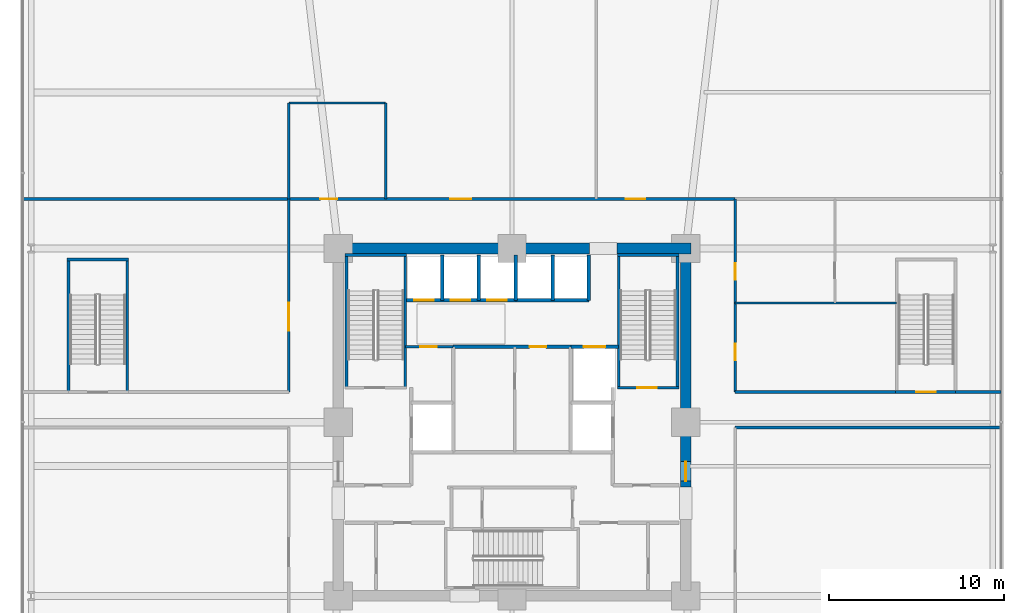
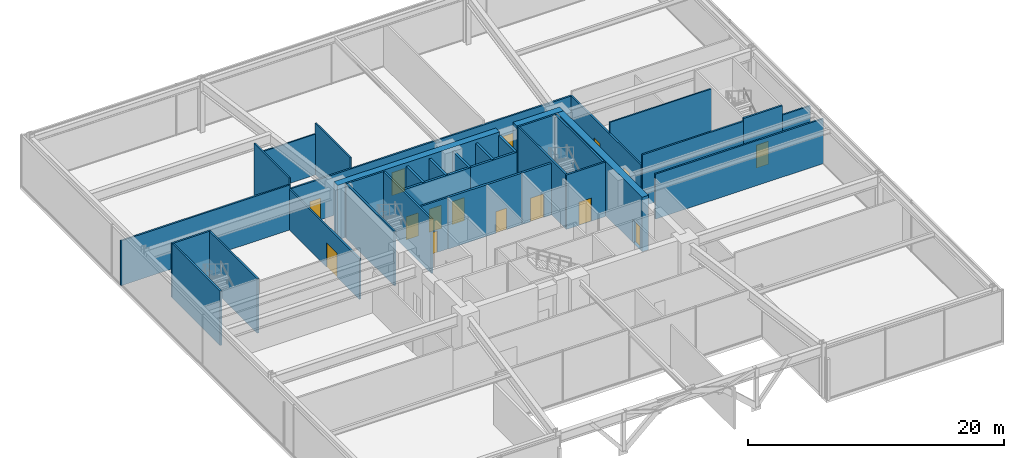
# One storey, part 44 of 49: 35 walls, 15 doors, 15 openings.
"""IFC4 building model written with IfcOpenShell, lengths in metres."""

from ifc_helpers import new_model, si_unit, direction, frame, frame_2d, origin, place, context, subcontext, project, spatial, rectangle, extrude, material, layer, layer_set, type_object, element, fill, save


model = new_model("IFC4")

# Units and contexts
model_context = context("Model", 3, precision=1e-05, world=origin(), true_north=direction((0.0, 1.0)))
body_context = subcontext(model_context, "Body", "Model", "MODEL_VIEW")
ifc_project = project(units=[si_unit("LENGTHUNIT", "METRE"), si_unit("AREAUNIT", "SQUARE_METRE"), si_unit("VOLUMEUNIT", "CUBIC_METRE"), si_unit("PLANEANGLEUNIT", "RADIAN"), si_unit("MASSUNIT", "GRAM", prefix="KILO")], contexts=[model_context])

# Site, building, storey
site_placement = place(None, origin())
site = spatial("IfcSite", under=ifc_project, at=site_placement, CompositionType="ELEMENT")
building_placement = place(site_placement, origin())
building = spatial("IfcBuilding", under=site, at=building_placement, Name="Kolvaren Belvedere", CompositionType="ELEMENT")
storey_placement = place(building_placement, frame((0.0, 0.0, 10.0)))
storey = spatial("IfcBuildingStorey", under=building, at=storey_placement, Name="L03", CompositionType="ELEMENT", Elevation=10.0)

# Walls
ifc_material_1 = material(Name="Concrete C60/75", Category="concrete")
ifc_layer_1 = layer(ifc_material_1, 0.60009765625)
ifc_layer_set_1 = layer_set([ifc_layer_1], Name="Concrete C60/75")
wall_type_1 = type_object("IfcWallType", Name="CW-CORE-600", PredefinedType="SHEAR", material=ifc_layer_set_1)
wall_1_placement = place(storey_placement, frame((-10.199951171875, 9.89990234375, 0.0), z_axis=(0.0, 0.0, 1.0), x_axis=(1.0, 0.0, 0.0)))
element("IfcWall", 1, at=wall_1_placement, inside=storey, type_object=wall_type_1, Name="L03 North Core Shear Wall 1", PredefinedType="SHEAR", context=body_context, shape_type="SweptSolid", body=[
    extrude(rectangle(XDim=14.619873046875, YDim=0.60009765625, at=frame_2d((7.31005859375, 0.0))), origin(), (0.0, 0.0, 1.0), 5.199951171875),
])
wall_2_placement = place(storey_placement, frame((5.97998046875, 9.89990234375, 0.0), z_axis=(0.0, 0.0, 1.0), x_axis=(1.0, 0.0, 0.0)))
element("IfcWall", 2, at=wall_2_placement, inside=storey, type_object=wall_type_1, Name="L03 North Core Shear Wall 2", PredefinedType="SHEAR", context=body_context, shape_type="SweptSolid", body=[
    extrude(rectangle(XDim=4.219970703125, YDim=0.60009765625, at=frame_2d((2.10986328125, 0.0))), origin(), (0.0, 0.0, 1.0), 5.199951171875),
])

# Wall, opening, door
wall_3_placement = place(storey_placement, frame((9.89990234375, -3.699951171875, 0.0), z_axis=(0.0, 0.0, 1.0), x_axis=(0.0, 1.0, 0.0)))
wall_3 = element("IfcWall", 3, at=wall_3_placement, inside=storey, type_object=wall_type_1, Name="L03 East Core Shear Wall 2", PredefinedType="SHEAR", context=body_context, shape_type="SweptSolid", body=[
    extrude(rectangle(XDim=13.300048828125, YDim=0.60009765625, at=frame_2d((6.64990234375, 0.0))), origin(), (0.0, 0.0, 1.0), 5.199951171875),
])
opening_1_placement = place(wall_3_placement, frame((0.35009765625, 0.0, 0.0)))
opening_1 = element("IfcOpeningElement", 4, at=opening_1_placement, cuts=wall_3, Name="Opening D-FD90", PredefinedType="OPENING", context=body_context, shape_type="SweptSolid", body=[
    extrude(rectangle(XDim=1.10009765625, YDim=2.199951171875, at=frame_2d((0.550048828125, 1.10009765625))), frame((0.0, 0.31005859375, 0.0), z_axis=(0.0, -1.0, 0.0), x_axis=(1.0, 0.0, 0.0)), (0.0, 0.0, 1.0), 0.6201171875),
])
ifc_material_2 = material(Name="Painted hollow stainless steel", Category="steel")
door_type_1 = type_object("IfcDoorType", Name="DR-FD90-1100", OperationType="NOTDEFINED", PredefinedType="DOOR", material=ifc_material_2)
door_1_placement = place(opening_1_placement, origin())
door_1 = element("IfcDoor", 5, at=door_1_placement, inside=storey, type_object=door_type_1, Name="L03 East Firefighting Lobby Fire Door", OperationType="SINGLE_SWING_RIGHT", OverallHeight=2.199951171875, OverallWidth=1.10009765625, PredefinedType="DOOR", context=body_context, shape_type="SweptSolid", body=[
    extrude(rectangle(XDim=1.10009765625, YDim=2.199951171875, at=frame_2d((0.550048828125, 1.10009765625))), frame((0.0, 0.02490234375, 0.0), z_axis=(0.0, -1.0, 0.0), x_axis=(1.0, 0.0, 0.0)), (0.0, 0.0, 1.0), 0.050048828125),
])
fill(opening_1, door_1)

# Walls
ifc_material_3 = material(Name="Concrete C50/60", Category="concrete")
ifc_layer_2 = layer(ifc_material_3, 0.159912109375)
ifc_layer_set_2 = layer_set([ifc_layer_2], Name="Concrete C50/60")
wall_type_2 = type_object("IfcWallType", Name="CW-STAIR-160", PredefinedType="SHEAR", material=ifc_layer_set_2)
wall_4_placement = place(storey_placement, frame((-9.52001953125, 9.530029296875, 0.0), z_axis=(0.0, 0.0, 1.0), x_axis=(1.0, 0.0, 0.0)))
element("IfcWall", 6, at=wall_4_placement, inside=storey, type_object=wall_type_2, Name="L03 Stair ST-1 North Shear Wall", PredefinedType="SHEAR", context=body_context, shape_type="SweptSolid", body=[
    extrude(rectangle(XDim=3.52001953125, YDim=0.159912109375, at=frame_2d((1.760009765625, 0.0))), origin(), (0.0, 0.0, 1.0), 5.199951171875),
])
for number, where, z_axis, x_axis, name in (
    (7, (-9.429931640625, 1.969970703125, 0.0), (0.0, 0.0, 1.0), (0.0, 1.0, 0.0), "L03 Stair ST-1 West Shear Wall"),
    (8, (-6.080078125, 1.969970703125, 0.0), (0.0, 0.0, 1.0), (0.0, 1.0, 0.0), "L03 Stair ST-1 East Shear Wall"),
):
    element("IfcWall", number, at=place(storey_placement, frame(where, z_axis=z_axis, x_axis=x_axis)), inside=storey, type_object=wall_type_2, Name=name, PredefinedType="SHEAR", context=body_context, shape_type="SweptSolid", body=[
        extrude(rectangle(XDim=7.56005859375, YDim=0.159912109375, at=frame_2d((3.780029296875, 0.0))), origin(), (0.0, 0.0, 1.0), 5.199951171875),
    ])

# Wall, opening, door
wall_5_placement = place(storey_placement, frame((6.0, 1.969970703125, 0.0), z_axis=(0.0, 0.0, 1.0), x_axis=(1.0, 0.0, 0.0)))
wall_5 = element("IfcWall", 9, at=wall_5_placement, inside=storey, type_object=wall_type_2, Name="L03 Stair ST-2 South Shear Wall", PredefinedType="SHEAR", context=body_context, shape_type="SweptSolid", body=[
    extrude(rectangle(XDim=3.52001953125, YDim=0.159912109375, at=frame_2d((1.760009765625, 0.0))), origin(), (0.0, 0.0, 1.0), 5.199951171875),
])
opening_2_placement = place(wall_5_placement, frame((1.14990234375, 0.0, 0.0)))
opening_2 = element("IfcOpeningElement", 10, at=opening_2_placement, cuts=wall_5, Name="Opening D-FD90", PredefinedType="OPENING", context=body_context, shape_type="SweptSolid", body=[
    extrude(rectangle(XDim=1.10009765625, YDim=2.199951171875, at=frame_2d((0.550048828125, 1.10009765625))), frame((0.0, 0.08984375, 0.0), z_axis=(0.0, -1.0, 0.0), x_axis=(1.0, 0.0, 0.0)), (0.0, 0.0, 1.0), 0.179931640625),
])
door_2_placement = place(opening_2_placement, origin())
door_2 = element("IfcDoor", 11, at=door_2_placement, inside=storey, type_object=door_type_1, Name="L03 Stair ST-2 Fire Door", OperationType="SINGLE_SWING_RIGHT", OverallHeight=2.199951171875, OverallWidth=1.10009765625, PredefinedType="DOOR", context=body_context, shape_type="SweptSolid", body=[
    extrude(rectangle(XDim=1.10009765625, YDim=2.199951171875, at=frame_2d((0.550048828125, 1.10009765625))), frame((0.0, 0.02490234375, 0.0), z_axis=(0.0, -1.0, 0.0), x_axis=(1.0, 0.0, 0.0)), (0.0, 0.0, 1.0), 0.050048828125),
])
fill(opening_2, door_2)

# Walls
wall_6_placement = place(storey_placement, frame((6.0, 9.530029296875, 0.0), z_axis=(0.0, 0.0, 1.0), x_axis=(1.0, 0.0, 0.0)))
element("IfcWall", 12, at=wall_6_placement, inside=storey, type_object=wall_type_2, Name="L03 Stair ST-2 North Shear Wall", PredefinedType="SHEAR", context=body_context, shape_type="SweptSolid", body=[
    extrude(rectangle(XDim=3.52001953125, YDim=0.159912109375, at=frame_2d((1.760009765625, 0.0))), origin(), (0.0, 0.0, 1.0), 5.199951171875),
])
for number, where, z_axis, x_axis, name in (
    (13, (6.080078125, 1.969970703125, 0.0), (0.0, 0.0, 1.0), (0.0, 1.0, 0.0), "L03 Stair ST-2 West Shear Wall"),
    (14, (9.429931640625, 1.969970703125, 0.0), (0.0, 0.0, 1.0), (0.0, 1.0, 0.0), "L03 Stair ST-2 East Shear Wall"),
):
    element("IfcWall", number, at=place(storey_placement, frame(where, z_axis=z_axis, x_axis=x_axis)), inside=storey, type_object=wall_type_2, Name=name, PredefinedType="SHEAR", context=body_context, shape_type="SweptSolid", body=[
        extrude(rectangle(XDim=7.56005859375, YDim=0.159912109375, at=frame_2d((3.780029296875, 0.0))), origin(), (0.0, 0.0, 1.0), 5.199951171875),
    ])
wall_7_placement = place(storey_placement, frame((-25.360107421875, 9.280029296875, 0.0), z_axis=(0.0, 0.0, 1.0), x_axis=(1.0, 0.0, 0.0)))
element("IfcWall", 15, at=wall_7_placement, inside=storey, type_object=wall_type_2, Name="L03 Stair ST-P1 North Shear Wall", PredefinedType="SHEAR", context=body_context, shape_type="SweptSolid", body=[
    extrude(rectangle(XDim=3.510009765625, YDim=0.159912109375, at=frame_2d((1.7548828125, 0.0))), origin(), (0.0, 0.0, 1.0), 5.199951171875),
])
for number, where, z_axis, x_axis, name in (
    (16, (-25.280029296875, 1.719970703125, 0.0), (0.0, 0.0, 1.0), (0.0, 1.0, 0.0), "L03 Stair ST-P1 West Shear Wall"),
    (17, (-21.929931640625, 1.719970703125, 0.0), (0.0, 0.0, 1.0), (0.0, 1.0, 0.0), "L03 Stair ST-P1 East Shear Wall"),
):
    element("IfcWall", number, at=place(storey_placement, frame(where, z_axis=z_axis, x_axis=x_axis)), inside=storey, type_object=wall_type_2, Name=name, PredefinedType="SHEAR", context=body_context, shape_type="SweptSolid", body=[
        extrude(rectangle(XDim=7.56005859375, YDim=0.159912109375, at=frame_2d((3.780029296875, 0.0))), origin(), (0.0, 0.0, 1.0), 5.199951171875),
    ])

# Wall, opening, door
wall_8_placement = place(storey_placement, frame((21.85009765625, 1.719970703125, 0.0), z_axis=(0.0, 0.0, 1.0), x_axis=(1.0, 0.0, 0.0)))
wall_8 = element("IfcWall", 18, at=wall_8_placement, inside=storey, type_object=wall_type_2, Name="L03 Stair ST-P2 South Shear Wall", PredefinedType="SHEAR", context=body_context, shape_type="SweptSolid", body=[
    extrude(rectangle(XDim=3.510009765625, YDim=0.159912109375, at=frame_2d((1.7548828125, 0.0))), origin(), (0.0, 0.0, 1.0), 5.199951171875),
])
opening_3_placement = place(wall_8_placement, frame((1.199951171875, 0.0, 0.0)))
opening_3 = element("IfcOpeningElement", 19, at=opening_3_placement, cuts=wall_8, Name="Opening D-FD90", PredefinedType="OPENING", context=body_context, shape_type="SweptSolid", body=[
    extrude(rectangle(XDim=1.10009765625, YDim=2.199951171875, at=frame_2d((0.550048828125, 1.10009765625))), frame((0.0, 0.08984375, 0.0), z_axis=(0.0, -1.0, 0.0), x_axis=(1.0, 0.0, 0.0)), (0.0, 0.0, 1.0), 0.179931640625),
])
door_3_placement = place(opening_3_placement, origin())
door_3 = element("IfcDoor", 20, at=door_3_placement, inside=storey, type_object=door_type_1, Name="L03 Podium Stair ST-P2 Exit Door", OperationType="SINGLE_SWING_RIGHT", OverallHeight=2.199951171875, OverallWidth=1.10009765625, PredefinedType="DOOR", context=body_context, shape_type="SweptSolid", body=[
    extrude(rectangle(XDim=1.10009765625, YDim=2.199951171875, at=frame_2d((0.550048828125, 1.10009765625))), frame((0.0, 0.02490234375, 0.0), z_axis=(0.0, -1.0, 0.0), x_axis=(1.0, 0.0, 0.0)), (0.0, 0.0, 1.0), 0.050048828125),
])
fill(opening_3, door_3)

# Wall, openings, doors
ifc_material_4 = material(Name="Gypsum fire-rated partition assembly", Category="gypsum")
ifc_layer_3 = layer(ifc_material_4, 0.14990234375)
ifc_layer_set_3 = layer_set([ifc_layer_3], Name="Gypsum fire-rated partition assembly")
wall_type_3 = type_object("IfcWallType", Name="WL-CORR-150", PredefinedType="PARTITIONING", material=ifc_layer_set_3)
wall_9_placement = place(storey_placement, frame((-12.719970703125, 12.719970703125, 0.0), z_axis=(0.0, 0.0, 1.0), x_axis=(1.0, 0.0, 0.0)))
wall_9 = element("IfcWall", 21, at=wall_9_placement, inside=storey, type_object=wall_type_3, Name="L03 North Corridor Wall", PredefinedType="PARTITIONING", context=body_context, shape_type="SweptSolid", body=[
    extrude(rectangle(XDim=25.43994140625, YDim=0.14990234375, at=frame_2d((12.719970703125, 0.0))), origin(), (0.0, 0.0, 1.0), 3.89404296875),
])
opening_4_placement = place(wall_9_placement, frame((1.800048828125, 0.0, 0.0)))
opening_4 = element("IfcOpeningElement", 22, at=opening_4_placement, cuts=wall_9, Name="Opening D-INT95", PredefinedType="OPENING", context=body_context, shape_type="SweptSolid", body=[
    extrude(rectangle(XDim=0.949951171875, YDim=2.06005859375, at=frame_2d((0.47509765625, 1.030029296875))), frame((0.0, 0.0849609375, 0.0), z_axis=(0.0, -1.0, 0.0), x_axis=(1.0, 0.0, 0.0)), (0.0, 0.0, 1.0), 0.169921875),
])
opening_5_placement = place(wall_9_placement, frame((9.199951171875, 0.0, 0.0)))
opening_5 = element("IfcOpeningElement", 23, at=opening_5_placement, cuts=wall_9, Name="Opening D-GL12", PredefinedType="OPENING", context=body_context, shape_type="SweptSolid", body=[
    extrude(rectangle(XDim=1.199951171875, YDim=2.199951171875, at=frame_2d((0.60009765625, 1.10009765625))), frame((0.0, 0.0849609375, 0.0), z_axis=(0.0, -1.0, 0.0), x_axis=(1.0, 0.0, 0.0)), (0.0, 0.0, 1.0), 0.169921875),
])
opening_6_placement = place(wall_9_placement, frame((19.199951171875, 0.0, 0.0)))
opening_6 = element("IfcOpeningElement", 24, at=opening_6_placement, cuts=wall_9, Name="Opening D-FD90", PredefinedType="OPENING", context=body_context, shape_type="SweptSolid", body=[
    extrude(rectangle(XDim=1.10009765625, YDim=2.199951171875, at=frame_2d((0.550048828125, 1.10009765625))), frame((0.0, 0.0849609375, 0.0), z_axis=(0.0, -1.0, 0.0), x_axis=(1.0, 0.0, 0.0)), (0.0, 0.0, 1.0), 0.169921875),
])
door_4_placement = place(opening_6_placement, origin())
door_4 = element("IfcDoor", 25, at=door_4_placement, inside=storey, type_object=door_type_1, Name="L03 Ballroom Audio-Visual Control Study Door", OperationType="SINGLE_SWING_RIGHT", OverallHeight=2.199951171875, OverallWidth=1.10009765625, PredefinedType="DOOR", context=body_context, shape_type="SweptSolid", body=[
    extrude(rectangle(XDim=1.10009765625, YDim=2.199951171875, at=frame_2d((0.550048828125, 1.10009765625))), frame((0.0, 0.02490234375, 0.0), z_axis=(0.0, -1.0, 0.0), x_axis=(1.0, 0.0, 0.0)), (0.0, 0.0, 1.0), 0.050048828125),
])
fill(opening_6, door_4)
ifc_material_5 = material(Name="Anodised pale-metal aluminium & safety glass", Category="aluminium")
door_type_2 = type_object("IfcDoorType", Name="DR-GLAZ-1200", OperationType="DOUBLE_DOOR_SINGLE_SWING", PredefinedType="DOOR", material=ifc_material_5)
door_5_placement = place(opening_5_placement, origin())
door_5 = element("IfcDoor", 26, at=door_5_placement, inside=storey, type_object=door_type_2, Name="L03 North Pre-Function Gallery Door", OperationType="DOUBLE_DOOR_SINGLE_SWING", OverallHeight=2.199951171875, OverallWidth=1.199951171875, PredefinedType="DOOR", context=body_context, shape_type="SweptSolid", body=[
    extrude(rectangle(XDim=1.199951171875, YDim=2.199951171875, at=frame_2d((0.60009765625, 1.10009765625))), frame((0.0, 0.02490234375, 0.0), z_axis=(0.0, -1.0, 0.0), x_axis=(1.0, 0.0, 0.0)), (0.0, 0.0, 1.0), 0.050048828125),
])
fill(opening_5, door_5)
ifc_material_6 = material(Name="Stained Pacific white oak", Category="timber")
door_type_3 = type_object("IfcDoorType", Name="DR-INT-950", OperationType="NOTDEFINED", PredefinedType="DOOR", material=ifc_material_6)
door_6_placement = place(opening_4_placement, origin())
door_6 = element("IfcDoor", 27, at=door_6_placement, inside=storey, type_object=door_type_3, Name="L03 Accessible Banquet Washroom Door", OperationType="SINGLE_SWING_LEFT", OverallHeight=2.06005859375, OverallWidth=0.949951171875, PredefinedType="DOOR", context=body_context, shape_type="SweptSolid", body=[
    extrude(rectangle(XDim=0.949951171875, YDim=2.06005859375, at=frame_2d((0.47509765625, 1.030029296875))), frame((0.0, 0.02490234375, 0.0), z_axis=(0.0, -1.0, 0.0), x_axis=(1.0, 0.0, 0.0)), (0.0, 0.0, 1.0), 0.050048828125),
])
fill(opening_4, door_6)

# Wall, opening, door
wall_10_placement = place(storey_placement, frame((-12.719970703125, 1.719970703125, 0.0), z_axis=(0.0, 0.0, 1.0), x_axis=(0.0, 1.0, 0.0)))
wall_10 = element("IfcWall", 28, at=wall_10_placement, inside=storey, type_object=wall_type_3, Name="L03 West Corridor Wall N", PredefinedType="PARTITIONING", context=body_context, shape_type="SweptSolid", body=[
    extrude(rectangle(XDim=11.0, YDim=0.14990234375, at=frame_2d((5.5, 0.0))), origin(), (0.0, 0.0, 1.0), 3.89404296875),
])
opening_7_placement = place(wall_10_placement, frame((3.5, 0.0, 0.0)))
opening_7 = element("IfcOpeningElement", 29, at=opening_7_placement, cuts=wall_10, Name="Opening D-GL16", PredefinedType="OPENING", context=body_context, shape_type="SweptSolid", body=[
    extrude(rectangle(XDim=1.60009765625, YDim=2.300048828125, at=frame_2d((0.800048828125, 1.14990234375))), frame((0.0, 0.0849609375, 0.0), z_axis=(0.0, -1.0, 0.0), x_axis=(1.0, 0.0, 0.0)), (0.0, 0.0, 1.0), 0.169921875),
])
ifc_material_7 = material(Name="Anodised pale-metal aluminium & safety glass", Category="aluminium")
door_type_4 = type_object("IfcDoorType", Name="DR-GLAZ-1600", OperationType="DOUBLE_DOOR_SINGLE_SWING", PredefinedType="DOOR", material=ifc_material_7)
door_7_placement = place(opening_7_placement, origin())
door_7 = element("IfcDoor", 30, at=door_7_placement, inside=storey, type_object=door_type_4, Name="L03 Kolvaren Column-Free Grand Ballroom Door", OperationType="DOUBLE_DOOR_SINGLE_SWING", OverallHeight=2.300048828125, OverallWidth=1.60009765625, PredefinedType="DOOR", context=body_context, shape_type="SweptSolid", body=[
    extrude(rectangle(XDim=1.60009765625, YDim=2.300048828125, at=frame_2d((0.800048828125, 1.14990234375))), frame((0.0, 0.02490234375, 0.0), z_axis=(0.0, -1.0, 0.0), x_axis=(1.0, 0.0, 0.0)), (0.0, 0.0, 1.0), 0.050048828125),
])
fill(opening_7, door_7)

# Wall, openings, doors
wall_11_placement = place(storey_placement, frame((12.719970703125, 1.719970703125, 0.0), z_axis=(0.0, 0.0, 1.0), x_axis=(0.0, 1.0, 0.0)))
wall_11 = element("IfcWall", 31, at=wall_11_placement, inside=storey, type_object=wall_type_3, Name="L03 East Corridor Wall N", PredefinedType="PARTITIONING", context=body_context, shape_type="SweptSolid", body=[
    extrude(rectangle(XDim=11.0, YDim=0.14990234375, at=frame_2d((5.5, 0.0))), origin(), (0.0, 0.0, 1.0), 3.89404296875),
])
opening_8_placement = place(wall_11_placement, frame((1.800048828125, 0.0, 0.0)))
opening_8 = element("IfcOpeningElement", 32, at=opening_8_placement, cuts=wall_11, Name="Opening D-INT95", PredefinedType="OPENING", context=body_context, shape_type="SweptSolid", body=[
    extrude(rectangle(XDim=0.949951171875, YDim=2.06005859375, at=frame_2d((0.47509765625, 1.030029296875))), frame((0.0, 0.0849609375, 0.0), z_axis=(0.0, -1.0, 0.0), x_axis=(1.0, 0.0, 0.0)), (0.0, 0.0, 1.0), 0.169921875),
])
opening_9_placement = place(wall_11_placement, frame((6.39990234375, 0.0, 0.0)))
opening_9 = element("IfcOpeningElement", 33, at=opening_9_placement, cuts=wall_11, Name="Opening D-INT95", PredefinedType="OPENING", context=body_context, shape_type="SweptSolid", body=[
    extrude(rectangle(XDim=0.949951171875, YDim=2.06005859375, at=frame_2d((0.47509765625, 1.030029296875))), frame((0.0, 0.0849609375, 0.0), z_axis=(0.0, -1.0, 0.0), x_axis=(1.0, 0.0, 0.0)), (0.0, 0.0, 1.0), 0.169921875),
])
door_8_placement = place(opening_8_placement, origin())
door_8 = element("IfcDoor", 34, at=door_8_placement, inside=storey, type_object=door_type_3, Name="L03 Speaker & Bridal Preparation Lounge Door", OperationType="SINGLE_SWING_LEFT", OverallHeight=2.06005859375, OverallWidth=0.949951171875, PredefinedType="DOOR", context=body_context, shape_type="SweptSolid", body=[
    extrude(rectangle(XDim=0.949951171875, YDim=2.06005859375, at=frame_2d((0.47509765625, 1.030029296875))), frame((0.0, 0.02490234375, 0.0), z_axis=(0.0, -1.0, 0.0), x_axis=(1.0, 0.0, 0.0)), (0.0, 0.0, 1.0), 0.050048828125),
])
fill(opening_8, door_8)
door_9_placement = place(opening_9_placement, origin())
door_9 = element("IfcDoor", 35, at=door_9_placement, inside=storey, type_object=door_type_3, Name="L03 Public Banquet Washroom Door", OperationType="SINGLE_SWING_RIGHT", OverallHeight=2.06005859375, OverallWidth=0.949951171875, PredefinedType="DOOR", context=body_context, shape_type="SweptSolid", body=[
    extrude(rectangle(XDim=0.949951171875, YDim=2.06005859375, at=frame_2d((0.47509765625, 1.030029296875))), frame((0.0, 0.02490234375, 0.0), z_axis=(0.0, -1.0, 0.0), x_axis=(1.0, 0.0, 0.0)), (0.0, 0.0, 1.0), 0.050048828125),
])
fill(opening_9, door_9)

# Walls
wall_12_placement = place(storey_placement, frame((12.719970703125, -0.300048828125, 0.0), z_axis=(0.0, 0.0, 1.0), x_axis=(1.0, 0.0, 0.0)))
element("IfcWall", 36, at=wall_12_placement, inside=storey, type_object=wall_type_3, Name="L03 East Stair Spur South Wall", PredefinedType="PARTITIONING", context=body_context, shape_type="SweptSolid", body=[
    extrude(rectangle(XDim=15.159912109375, YDim=0.14990234375, at=frame_2d((7.580078125, 0.0))), origin(), (0.0, 0.0, 1.0), 4.2890625),
])
wall_13_placement = place(storey_placement, frame((12.719970703125, 1.719970703125, 0.0), z_axis=(0.0, 0.0, 1.0), x_axis=(1.0, 0.0, 0.0)))
element("IfcWall", 37, at=wall_13_placement, inside=storey, type_object=wall_type_3, Name="L03 East Stair Spur North Wall", PredefinedType="PARTITIONING", context=body_context, shape_type="SweptSolid", body=[
    extrude(rectangle(XDim=9.2099609375, YDim=0.14990234375, at=frame_2d((4.60498046875, 0.0))), origin(), (0.0, 0.0, 1.0), 4.919921875),
])
wall_14_placement = place(storey_placement, frame((25.280029296875, 1.719970703125, 0.0), z_axis=(0.0, 0.0, 1.0), x_axis=(1.0, 0.0, 0.0)))
element("IfcWall", 38, at=wall_14_placement, inside=storey, type_object=wall_type_3, Name="L03 East Stair Spur End Wall", PredefinedType="PARTITIONING", context=body_context, shape_type="SweptSolid", body=[
    extrude(rectangle(XDim=2.599853515625, YDim=0.14990234375, at=frame_2d((1.2998046875, 0.0))), origin(), (0.0, 0.0, 1.0), 4.2890625),
])
wall_15_placement = place(storey_placement, frame((-27.97998046875, 12.719970703125, 0.0), z_axis=(0.0, 0.0, 1.0), x_axis=(1.0, 0.0, 0.0)))
element("IfcWall", 39, at=wall_15_placement, inside=storey, type_object=wall_type_3, Name="L03 Sector Wall PW-L03-QNW", PredefinedType="PARTITIONING", context=body_context, shape_type="SweptSolid", body=[
    extrude(rectangle(XDim=15.260009765625, YDim=0.14990234375, at=frame_2d((7.6298828125, 0.0))), origin(), (0.0, 0.0, 1.0), 4.2890625),
])

# Wall, opening, door
ifc_material_8 = material(Name="Gypsum acoustic partition assembly", Category="gypsum")
ifc_layer_4 = layer(ifc_material_8, 0.14990234375)
ifc_layer_set_4 = layer_set([ifc_layer_4], Name="Gypsum acoustic partition assembly")
wall_type_4 = type_object("IfcWallType", Name="WL-PART-150", PredefinedType="PARTITIONING", material=ifc_layer_set_4)
wall_16_placement = place(storey_placement, frame((-6.080078125, 4.300048828125, 0.0), z_axis=(0.0, 0.0, 1.0), x_axis=(1.0, 0.0, 0.0)))
wall_16 = element("IfcWall", 40, at=wall_16_placement, inside=storey, type_object=wall_type_4, Name="L03 NW Service Room North Wall", PredefinedType="PARTITIONING", context=body_context, shape_type="SweptSolid", body=[
    extrude(rectangle(XDim=2.72998046875, YDim=0.14990234375, at=frame_2d((1.364990234375, 0.0))), origin(), (0.0, 0.0, 1.0), 4.919921875),
])
opening_10_placement = place(wall_16_placement, frame((0.85009765625, 0.0, 0.0)))
opening_10 = element("IfcOpeningElement", 41, at=opening_10_placement, cuts=wall_16, Name="Opening D-FD60", PredefinedType="OPENING", context=body_context, shape_type="SweptSolid", body=[
    extrude(rectangle(XDim=0.949951171875, YDim=2.06005859375, at=frame_2d((0.47509765625, 1.030029296875))), frame((0.0, 0.0849609375, 0.0), z_axis=(0.0, -1.0, 0.0), x_axis=(1.0, 0.0, 0.0)), (0.0, 0.0, 1.0), 0.169921875),
])
ifc_material_9 = material(Name="Acoustic white-oak fire door leaf", Category="timber")
door_type_5 = type_object("IfcDoorType", Name="DR-FD60-950", OperationType="NOTDEFINED", PredefinedType="DOOR", material=ifc_material_9)
door_10_placement = place(opening_10_placement, origin())
door_10 = element("IfcDoor", 42, at=door_10_placement, inside=storey, type_object=door_type_5, Name="L03 NW Core Store Door", OperationType="SINGLE_SWING_RIGHT", OverallHeight=2.06005859375, OverallWidth=0.949951171875, PredefinedType="DOOR", context=body_context, shape_type="SweptSolid", body=[
    extrude(rectangle(XDim=0.949951171875, YDim=2.06005859375, at=frame_2d((0.47509765625, 1.030029296875))), frame((0.0, 0.02490234375, 0.0), z_axis=(0.0, -1.0, 0.0), x_axis=(1.0, 0.0, 0.0)), (0.0, 0.0, 1.0), 0.050048828125),
])
fill(opening_10, door_10)

ifc_material_10 = material(Name="Concrete C50/60", Category="concrete")
ifc_layer_5 = layer(ifc_material_10, 0.199951171875)
ifc_layer_set_5 = layer_set([ifc_layer_5], Name="Concrete C50/60")
wall_type_5 = type_object("IfcWallType", Name="WL-SHAFT-200", PredefinedType="SOLIDWALL", material=ifc_layer_set_5)
wall_17_placement = place(storey_placement, frame((3.35009765625, 4.300048828125, 0.0), z_axis=(0.0, 0.0, 1.0), x_axis=(1.0, 0.0, 0.0)))
wall_17 = element("IfcWall", 43, at=wall_17_placement, inside=storey, type_object=wall_type_5, Name="L03 Service Lift SV1 Front Wall", PredefinedType="SOLIDWALL", context=body_context, shape_type="SweptSolid", body=[
    extrude(rectangle(XDim=2.72998046875, YDim=0.199951171875, at=frame_2d((1.364990234375, 0.0))), origin(), (0.0, 0.0, 1.0), 4.919921875),
])
opening_11_placement = place(wall_17_placement, frame((0.75, 0.0, 0.0)))
opening_11 = element("IfcOpeningElement", 44, at=opening_11_placement, cuts=wall_17, Name="Opening LD-12", PredefinedType="OPENING", context=body_context, shape_type="SweptSolid", body=[
    extrude(rectangle(XDim=1.199951171875, YDim=2.25, at=frame_2d((0.60009765625, 1.125))), frame((0.0, 0.10986328125, 0.0), z_axis=(0.0, -1.0, 0.0), x_axis=(1.0, 0.0, 0.0)), (0.0, 0.0, 1.0), 0.219970703125),
])
ifc_material_11 = material(Name="Brushed stainless steel", Category="steel")
door_type_6 = type_object("IfcDoorType", Name="DR-LIFT-1200", OperationType="DOUBLE_DOOR_SLIDING", PredefinedType="DOOR", material=ifc_material_11)
door_11_placement = place(opening_11_placement, origin())
door_11 = element("IfcDoor", 45, at=door_11_placement, inside=storey, type_object=door_type_6, Name="L03 Service Lift SV1 Landing Door", OperationType="DOUBLE_DOOR_SLIDING", OverallHeight=2.25, OverallWidth=1.199951171875, PredefinedType="DOOR", context=body_context, shape_type="SweptSolid", body=[
    extrude(rectangle(XDim=1.199951171875, YDim=2.25, at=frame_2d((0.60009765625, 1.125))), frame((0.0, 0.02490234375, 0.0), z_axis=(0.0, -1.0, 0.0), x_axis=(1.0, 0.0, 0.0)), (0.0, 0.0, 1.0), 0.050048828125),
])
fill(opening_11, door_11)

# Wall, openings, doors
wall_18_placement = place(storey_placement, frame((-6.080078125, 6.949951171875, 0.0), z_axis=(0.0, 0.0, 1.0), x_axis=(1.0, 0.0, 0.0)))
wall_18 = element("IfcWall", 46, at=wall_18_placement, inside=storey, type_object=wall_type_5, Name="L03 Low-Rise Lift Bank Front Wall", PredefinedType="SOLIDWALL", context=body_context, shape_type="SweptSolid", body=[
    extrude(rectangle(XDim=6.300048828125, YDim=0.199951171875, at=frame_2d((3.14990234375, 0.0))), origin(), (0.0, 0.0, 1.0), 4.919921875),
])
opening_12_placement = place(wall_18_placement, frame((0.52001953125, 0.0, 0.0)))
opening_12 = element("IfcOpeningElement", 47, at=opening_12_placement, cuts=wall_18, Name="Opening LD-11", PredefinedType="OPENING", context=body_context, shape_type="SweptSolid", body=[
    extrude(rectangle(XDim=1.10009765625, YDim=2.199951171875, at=frame_2d((0.550048828125, 1.10009765625))), frame((0.0, 0.10986328125, 0.0), z_axis=(0.0, -1.0, 0.0), x_axis=(1.0, 0.0, 0.0)), (0.0, 0.0, 1.0), 0.219970703125),
])
opening_13_placement = place(wall_18_placement, frame((2.60009765625, 0.0, 0.0)))
opening_13 = element("IfcOpeningElement", 48, at=opening_13_placement, cuts=wall_18, Name="Opening LD-11", PredefinedType="OPENING", context=body_context, shape_type="SweptSolid", body=[
    extrude(rectangle(XDim=1.10009765625, YDim=2.199951171875, at=frame_2d((0.550048828125, 1.10009765625))), frame((0.0, 0.10986328125, 0.0), z_axis=(0.0, -1.0, 0.0), x_axis=(1.0, 0.0, 0.0)), (0.0, 0.0, 1.0), 0.219970703125),
])
opening_14_placement = place(wall_18_placement, frame((4.679931640625, 0.0, 0.0)))
opening_14 = element("IfcOpeningElement", 49, at=opening_14_placement, cuts=wall_18, Name="Opening LD-11", PredefinedType="OPENING", context=body_context, shape_type="SweptSolid", body=[
    extrude(rectangle(XDim=1.10009765625, YDim=2.199951171875, at=frame_2d((0.550048828125, 1.10009765625))), frame((0.0, 0.10986328125, 0.0), z_axis=(0.0, -1.0, 0.0), x_axis=(1.0, 0.0, 0.0)), (0.0, 0.0, 1.0), 0.219970703125),
])
ifc_material_12 = material(Name="Brushed stainless steel", Category="steel")
door_type_7 = type_object("IfcDoorType", Name="DR-LIFT-1100", OperationType="DOUBLE_DOOR_SLIDING", PredefinedType="DOOR", material=ifc_material_12)
door_12_placement = place(opening_12_placement, origin())
door_12 = element("IfcDoor", 50, at=door_12_placement, inside=storey, type_object=door_type_7, Name="L03 Passenger Lift P1 Landing Door", OperationType="DOUBLE_DOOR_SLIDING", OverallHeight=2.199951171875, OverallWidth=1.10009765625, PredefinedType="DOOR", context=body_context, shape_type="SweptSolid", body=[
    extrude(rectangle(XDim=1.10009765625, YDim=2.199951171875, at=frame_2d((0.550048828125, 1.10009765625))), frame((0.0, 0.02490234375, 0.0), z_axis=(0.0, -1.0, 0.0), x_axis=(1.0, 0.0, 0.0)), (0.0, 0.0, 1.0), 0.050048828125),
])
fill(opening_12, door_12)
door_13_placement = place(opening_13_placement, origin())
door_13 = element("IfcDoor", 51, at=door_13_placement, inside=storey, type_object=door_type_7, Name="L03 Passenger Lift P2 Landing Door", OperationType="DOUBLE_DOOR_SLIDING", OverallHeight=2.199951171875, OverallWidth=1.10009765625, PredefinedType="DOOR", context=body_context, shape_type="SweptSolid", body=[
    extrude(rectangle(XDim=1.10009765625, YDim=2.199951171875, at=frame_2d((0.550048828125, 1.10009765625))), frame((0.0, 0.02490234375, 0.0), z_axis=(0.0, -1.0, 0.0), x_axis=(1.0, 0.0, 0.0)), (0.0, 0.0, 1.0), 0.050048828125),
])
fill(opening_13, door_13)
door_14_placement = place(opening_14_placement, origin())
door_14 = element("IfcDoor", 52, at=door_14_placement, inside=storey, type_object=door_type_7, Name="L03 Passenger Lift P3 Landing Door", OperationType="DOUBLE_DOOR_SLIDING", OverallHeight=2.199951171875, OverallWidth=1.10009765625, PredefinedType="DOOR", context=body_context, shape_type="SweptSolid", body=[
    extrude(rectangle(XDim=1.10009765625, YDim=2.199951171875, at=frame_2d((0.550048828125, 1.10009765625))), frame((0.0, 0.02490234375, 0.0), z_axis=(0.0, -1.0, 0.0), x_axis=(1.0, 0.0, 0.0)), (0.0, 0.0, 1.0), 0.050048828125),
])
fill(opening_14, door_14)

# Walls
for number, where, z_axis, x_axis, name in (
    (53, (-3.969970703125, 6.949951171875, 0.0), (0.0, 0.0, 1.0), (0.0, 1.0, 0.0), "L03 Low-Rise Hoistway Divider 1"),
    (54, (-1.889892578125, 6.949951171875, 0.0), (0.0, 0.0, 1.0), (0.0, 1.0, 0.0), "L03 Low-Rise Hoistway Divider 2"),
    (55, (0.2099609375, 6.949951171875, 0.0), (0.0, 0.0, 1.0), (0.0, 1.0, 0.0), "L03 Low-Rise Hoistway Divider 3"),
):
    element("IfcWall", number, at=place(storey_placement, frame(where, z_axis=z_axis, x_axis=x_axis)), inside=storey, type_object=wall_type_5, Name=name, PredefinedType="SOLIDWALL", context=body_context, shape_type="SweptSolid", body=[
        extrude(rectangle(XDim=2.570068359375, YDim=0.199951171875, at=frame_2d((1.28515625, 0.0))), origin(), (0.0, 0.0, 1.0), 4.919921875),
    ])
wall_19_placement = place(storey_placement, frame((0.219970703125, 6.949951171875, 0.0), z_axis=(0.0, 0.0, 1.0), x_axis=(1.0, 0.0, 0.0)))
element("IfcWall", 56, at=wall_19_placement, inside=storey, type_object=wall_type_5, Name="L03 Express Shuttle Hoistway Wall", PredefinedType="SOLIDWALL", context=body_context, shape_type="SweptSolid", body=[
    extrude(rectangle(XDim=4.179931640625, YDim=0.199951171875, at=frame_2d((2.08984375, 0.0))), origin(), (0.0, 0.0, 1.0), 4.919921875),
])
for number, where, z_axis, x_axis, name in (
    (57, (4.3798828125, 6.949951171875, 0.0), (0.0, 0.0, 1.0), (0.0, 1.0, 0.0), "L03 Express Shuttle East Wall"),
    (58, (2.31005859375, 6.949951171875, 0.0), (0.0, 0.0, 1.0), (0.0, 1.0, 0.0), "L03 Express Shuttle Divider"),
):
    element("IfcWall", number, at=place(storey_placement, frame(where, z_axis=z_axis, x_axis=x_axis)), inside=storey, type_object=wall_type_5, Name=name, PredefinedType="SOLIDWALL", context=body_context, shape_type="SweptSolid", body=[
        extrude(rectangle(XDim=2.570068359375, YDim=0.199951171875, at=frame_2d((1.28515625, 0.0))), origin(), (0.0, 0.0, 1.0), 4.919921875),
    ])

# Wall, opening, door
wall_20_placement = place(storey_placement, frame((-3.35009765625, 4.300048828125, 0.0), z_axis=(0.0, 0.0, 1.0), x_axis=(1.0, 0.0, 0.0)))
wall_20 = element("IfcWall", 59, at=wall_20_placement, inside=storey, type_object=wall_type_5, Name="L03 Central Core Room North Wall", PredefinedType="SOLIDWALL", context=body_context, shape_type="SweptSolid", body=[
    extrude(rectangle(XDim=6.7001953125, YDim=0.199951171875, at=frame_2d((3.35009765625, 0.0))), origin(), (0.0, 0.0, 1.0), 4.919921875),
])
opening_15_placement = place(wall_20_placement, frame((4.35009765625, 0.0, 0.0)))
opening_15 = element("IfcOpeningElement", 60, at=opening_15_placement, cuts=wall_20, Name="Opening D-FD60", PredefinedType="OPENING", context=body_context, shape_type="SweptSolid", body=[
    extrude(rectangle(XDim=0.949951171875, YDim=2.06005859375, at=frame_2d((0.47509765625, 1.030029296875))), frame((0.0, 0.10986328125, 0.0), z_axis=(0.0, -1.0, 0.0), x_axis=(1.0, 0.0, 0.0)), (0.0, 0.0, 1.0), 0.219970703125),
])
door_15_placement = place(opening_15_placement, origin())
door_15 = element("IfcDoor", 61, at=door_15_placement, inside=storey, type_object=door_type_5, Name="L03 Central Core Controls Door", OperationType="SINGLE_SWING_LEFT", OverallHeight=2.06005859375, OverallWidth=0.949951171875, PredefinedType="DOOR", context=body_context, shape_type="SweptSolid", body=[
    extrude(rectangle(XDim=0.949951171875, YDim=2.06005859375, at=frame_2d((0.47509765625, 1.030029296875))), frame((0.0, 0.02490234375, 0.0), z_axis=(0.0, -1.0, 0.0), x_axis=(1.0, 0.0, 0.0)), (0.0, 0.0, 1.0), 0.050048828125),
])
fill(opening_15, door_15)

# Walls
ifc_material_13 = material(Name="Moisture-resistant gypsum partition", Category="gypsum")
ifc_layer_6 = layer(ifc_material_13, 0.125)
ifc_layer_set_6 = layer_set([ifc_layer_6], Name="Moisture-resistant gypsum partition")
wall_type_6 = type_object("IfcWallType", Name="WL-WET-125", PredefinedType="PARTITIONING", material=ifc_layer_set_6)
wall_21_placement = place(storey_placement, frame((12.719970703125, 6.800048828125, 0.0), z_axis=(0.0, 0.0, 1.0), x_axis=(1.0, 0.0, 0.0)))
element("IfcWall", 62, at=wall_21_placement, inside=storey, type_object=wall_type_6, Name="L03 East Washroom South Wall", PredefinedType="PARTITIONING", context=body_context, shape_type="SweptSolid", body=[
    extrude(rectangle(XDim=9.179931640625, YDim=0.125, at=frame_2d((4.58984375, 0.0))), origin(), (0.0, 0.0, 1.0), 4.919921875),
])
for number, where, z_axis, x_axis, name in (
    (63, (-12.719970703125, 12.719970703125, 0.0), (0.0, 0.0, 1.0), (0.0, 1.0, 0.0), "L03 Accessible WC West Wall"),
    (64, (-7.199951171875, 12.719970703125, 0.0), (0.0, 0.0, 1.0), (0.0, 1.0, 0.0), "L03 Accessible WC East Wall"),
):
    element("IfcWall", number, at=place(storey_placement, frame(where, z_axis=z_axis, x_axis=x_axis)), inside=storey, type_object=wall_type_6, Name=name, PredefinedType="PARTITIONING", context=body_context, shape_type="SweptSolid", body=[
        extrude(rectangle(XDim=5.47998046875, YDim=0.125, at=frame_2d((2.739990234375, 0.0))), origin(), (0.0, 0.0, 1.0), 4.919921875),
    ])
wall_22_placement = place(storey_placement, frame((-12.719970703125, 18.199951171875, 0.0), z_axis=(0.0, 0.0, 1.0), x_axis=(1.0, 0.0, 0.0)))
element("IfcWall", 65, at=wall_22_placement, inside=storey, type_object=wall_type_6, Name="L03 Accessible WC North Wall", PredefinedType="PARTITIONING", context=body_context, shape_type="SweptSolid", body=[
    extrude(rectangle(XDim=5.52001953125, YDim=0.125, at=frame_2d((2.760009765625, 0.0))), origin(), (0.0, 0.0, 1.0), 3.89404296875),
])

save(model, "model.ifc")
